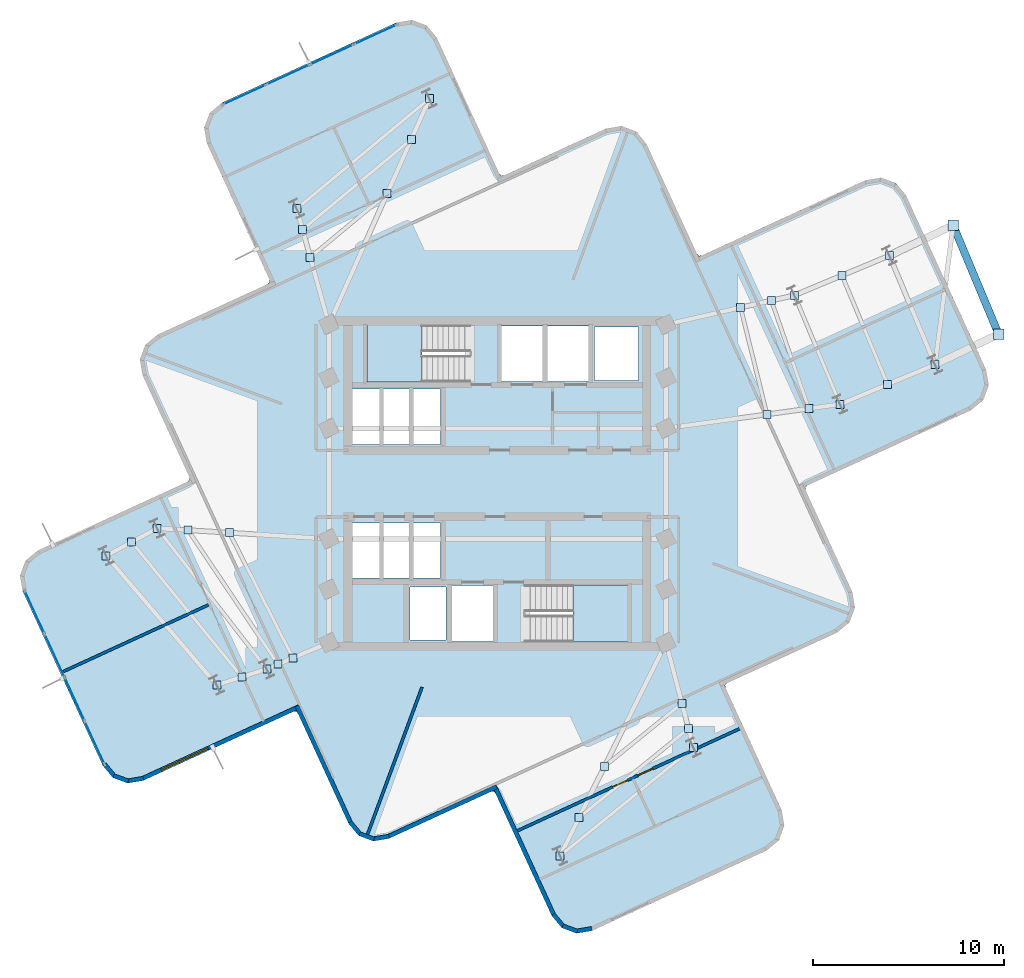
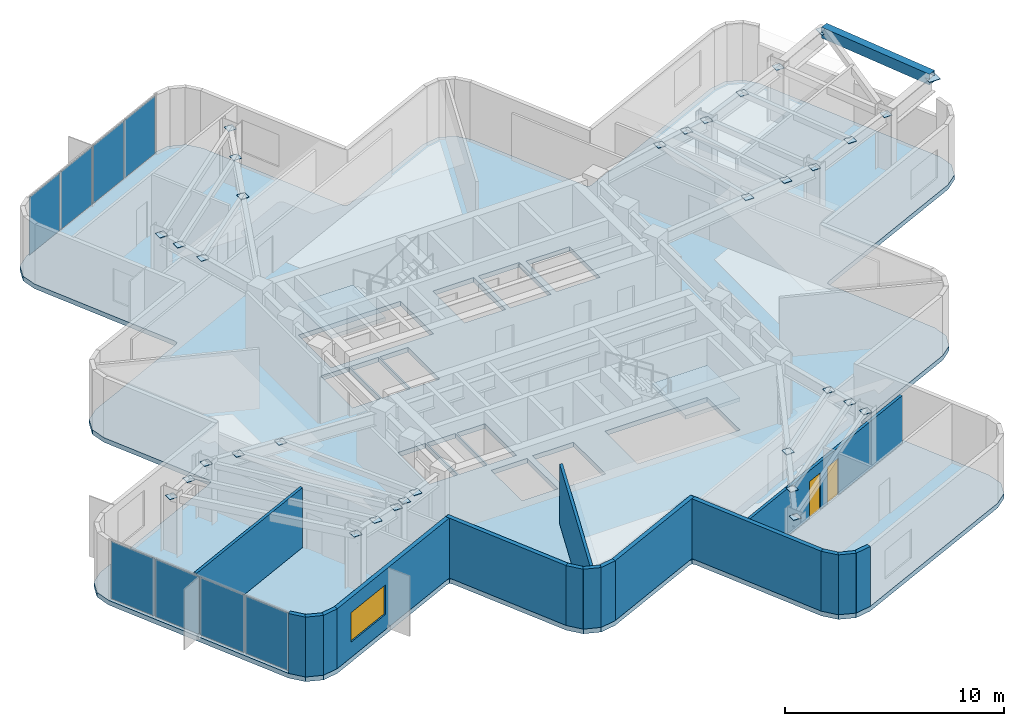
# One storey, part 5 of 11: 42 plates, 16 walls, 3 slabs, 2 doors, 1 beam, 1 window, 3 openings, 4 elements without a shape of their own.
"""IFC4 building model written with IfcOpenShell, lengths in metres."""

from ifc_helpers import new_model, si_unit, direction, frame, frame_2d, origin, origin_2d, place, context, subcontext, project, spatial, polyline, rectangle, hollow_rectangle, outline, extrude, material, layer, layer_set, material_profile, profile_set, type_object, element, fill, aggregate, save


model = new_model("IFC4")

# Units and contexts
model_context = context("Model", 3, precision=1e-05, world=origin(), true_north=direction((0.0, 1.0)))
body_context = subcontext(model_context, "Body", "Model", "MODEL_VIEW")
ifc_project = project(units=[si_unit("LENGTHUNIT", "METRE"), si_unit("AREAUNIT", "SQUARE_METRE"), si_unit("VOLUMEUNIT", "CUBIC_METRE"), si_unit("PLANEANGLEUNIT", "RADIAN"), si_unit("MASSUNIT", "GRAM", prefix="KILO")], contexts=[model_context])

# Site, building, storey
site_placement = place(None, origin())
site = spatial("IfcSite", under=ifc_project, at=site_placement, CompositionType="ELEMENT")
building_placement = place(site_placement, origin())
building = spatial("IfcBuilding", under=site, at=building_placement, Name="Solmarez Civic Tower", CompositionType="ELEMENT")
storey_placement = place(building_placement, frame((0.0, 0.0, 184.679931640625)))
storey = spatial("IfcBuildingStorey", under=building, at=storey_placement, Name="L49", CompositionType="ELEMENT", Elevation=184.679931640625)

# Beam
ifc_material_1 = material(Name="Steel S355", Category="steel")
ifc_material_profile = material_profile(ifc_material_1, hollow_rectangle(XDim=0.39990234375, YDim=0.60009765625, WallThickness=0.02490234375, at=origin_2d()), Name="HSS600X400X25")
ifc_profile_set = profile_set([ifc_material_profile], Name="Steel S355")
beam_type = type_object("IfcBeamType", Name="BM-SP-HSS600X400", PredefinedType="SPANDREL", material=ifc_profile_set)
beam_placement = place(storey_placement, frame((26.30908203125, 7.839111328125, 3.0400390625), z_axis=(-0.385876218946, 0.922550564279, 0.0), x_axis=(-0.922550564279, -0.385876218946, 0.0)))
element("IfcBeam", 1, at=beam_placement, inside=storey, type_object=beam_type, Name="L49 Perimeter Spandrel Beam BM-POOL-EDGE-L49", PredefinedType="SPANDREL", context=body_context, shape_type="SweptSolid", body=[
    extrude(hollow_rectangle(XDim=0.39990234375, YDim=0.60009765625, WallThickness=0.02490234375, at=origin_2d()), origin(), (0.0, 0.0, 1.0), 6.19921875),
])

# Curtain wall, plates
ifc_material_2 = material(Name="Bronze Anodised Aluminium EN AW-6063 T6", Category="aluminium")
ifc_layer_1 = layer(ifc_material_2, 0.2099609375)
ifc_layer_set_1 = layer_set([ifc_layer_1], Name="Bronze Anodised Aluminium EN AW-6063 T6")
curtain_wall_type = type_object("IfcCurtainWallType", Name="CW-SYS-5", PredefinedType="NOTDEFINED", material=ifc_layer_set_1)
curtain_wall_1_placement = place(storey_placement, origin())
curtain_wall_1 = element("IfcCurtainWall", 2, at=curtain_wall_1_placement, inside=storey, type_object=curtain_wall_type, Name="L49 Stick-Built Curtain Wall 1", PredefinedType="NOTDEFINED")
ifc_material_3 = material(Name="Solar Control Low-E Laminated Vision Glass", Category="glass")
ifc_layer_2 = layer(ifc_material_3, 0.028076171875)
ifc_layer_set_2 = layer_set([ifc_layer_2], Name="Solar Control Low-E Laminated Vision Glass")
plate_type_1 = type_object("IfcPlateType", Name="CWP-GLAZ-28", PredefinedType="CURTAIN_PANEL", material=ifc_layer_set_2)
plate_1_placement = place(storey_placement, frame((-21.14306640625, -13.599609375, 0.065185546875), z_axis=(0.0, 0.0, 1.0), x_axis=(-0.417469242296, 0.908691054064, 0.0)))
plate_1 = element("IfcPlate", 3, at=plate_1_placement, type_object=plate_type_1, Name="CWS5 panel 1.1", PredefinedType="CURTAIN_PANEL", context=body_context, shape_type="SweptSolid", body=[
    extrude(rectangle(XDim=2.412841796875, YDim=0.028076171875, at=origin_2d()), origin(), (0.0, 0.0, 1.0), 3.2099609375),
])
plate_2_placement = place(storey_placement, frame((-22.189453125, -11.32177734375, 0.065185546875), z_axis=(0.0, 0.0, 1.0), x_axis=(-0.417469242296, 0.908691054064, 0.0)))
plate_2 = element("IfcPlate", 4, at=plate_2_placement, type_object=plate_type_1, Name="CWS5 panel 2.1", PredefinedType="CURTAIN_PANEL", context=body_context, shape_type="SweptSolid", body=[
    extrude(rectangle(XDim=2.450439453125, YDim=0.028076171875, at=origin_2d()), origin(), (0.0, 0.0, 1.0), 3.2099609375),
])
plate_3_placement = place(storey_placement, frame((-23.24365234375, -9.027099609375, 0.065185546875), z_axis=(0.0, 0.0, 1.0), x_axis=(-0.417469242296, 0.908691054064, 0.0)))
plate_3 = element("IfcPlate", 5, at=plate_3_placement, type_object=plate_type_1, Name="CWS5 panel 3.1", PredefinedType="CURTAIN_PANEL", context=body_context, shape_type="SweptSolid", body=[
    extrude(rectangle(XDim=2.450439453125, YDim=0.028076171875, at=origin_2d()), origin(), (0.0, 0.0, 1.0), 3.2099609375),
])
plate_4_placement = place(storey_placement, frame((-24.2900390625, -6.74951171875, 0.065185546875), z_axis=(0.0, 0.0, 1.0), x_axis=(-0.417469242296, 0.908691054064, 0.0)))
plate_4 = element("IfcPlate", 6, at=plate_4_placement, type_object=plate_type_1, Name="CWS5 panel 4.1", PredefinedType="CURTAIN_PANEL", context=body_context, shape_type="SweptSolid", body=[
    extrude(rectangle(XDim=2.412841796875, YDim=0.028076171875, at=origin_2d()), origin(), (0.0, 0.0, 1.0), 3.2099609375),
])
aggregate(curtain_wall_1, [plate_1, plate_2, plate_3, plate_4])

curtain_wall_2_placement = place(storey_placement, origin())
curtain_wall_2 = element("IfcCurtainWall", 7, at=curtain_wall_2_placement, inside=storey, type_object=curtain_wall_type, Name="L49 Stick-Built Curtain Wall 2", PredefinedType="NOTDEFINED")
plate_5_placement = place(storey_placement, frame((-13.265625, 20.416015625, 0.065185546875), z_axis=(0.0, 0.0, 1.0), x_axis=(0.908691054064, 0.417469242296, 0.0)))
plate_5 = element("IfcPlate", 8, at=plate_5_placement, type_object=plate_type_1, Name="CWS5 panel 1.1", PredefinedType="CURTAIN_PANEL", context=body_context, shape_type="SweptSolid", body=[
    extrude(rectangle(XDim=2.412841796875, YDim=0.028076171875, at=origin_2d()), origin(), (0.0, 0.0, 1.0), 3.2099609375),
])
plate_6_placement = place(storey_placement, frame((-10.98779296875, 21.46240234375, 0.065185546875), z_axis=(0.0, 0.0, 1.0), x_axis=(0.908691054064, 0.417469242296, 0.0)))
plate_6 = element("IfcPlate", 9, at=plate_6_placement, type_object=plate_type_1, Name="CWS5 panel 2.1", PredefinedType="CURTAIN_PANEL", context=body_context, shape_type="SweptSolid", body=[
    extrude(rectangle(XDim=2.450439453125, YDim=0.028076171875, at=origin_2d()), origin(), (0.0, 0.0, 1.0), 3.2099609375),
])
plate_7_placement = place(storey_placement, frame((-8.693115234375, 22.5166015625, 0.065185546875), z_axis=(0.0, 0.0, 1.0), x_axis=(0.908691054064, 0.417469242296, 0.0)))
plate_7 = element("IfcPlate", 10, at=plate_7_placement, type_object=plate_type_1, Name="CWS5 panel 3.1", PredefinedType="CURTAIN_PANEL", context=body_context, shape_type="SweptSolid", body=[
    extrude(rectangle(XDim=2.450439453125, YDim=0.028076171875, at=origin_2d()), origin(), (0.0, 0.0, 1.0), 3.2099609375),
])
plate_8_placement = place(storey_placement, frame((-6.41552734375, 23.56298828125, 0.065185546875), z_axis=(0.0, 0.0, 1.0), x_axis=(0.908691054064, 0.417469242296, 0.0)))
plate_8 = element("IfcPlate", 11, at=plate_8_placement, type_object=plate_type_1, Name="CWS5 panel 4.1", PredefinedType="CURTAIN_PANEL", context=body_context, shape_type="SweptSolid", body=[
    extrude(rectangle(XDim=2.412841796875, YDim=0.028076171875, at=origin_2d()), origin(), (0.0, 0.0, 1.0), 3.2099609375),
])
aggregate(curtain_wall_2, [plate_5, plate_6, plate_7, plate_8])

# Plates
ifc_layer_3 = layer(ifc_material_1, 0.02392578125)
ifc_layer_set_3 = layer_set([ifc_layer_3], Name="Steel S355")
plate_type_2 = type_object("IfcPlateType", Name="PLT-CAP-380", PredefinedType="USERDEFINED", material=ifc_layer_set_3)
for number, where, z_axis, x_axis, name in (
    (12, (17.987060546875, 4.1640625, 3.17822265625), (0.0, 0.0, 1.0), (1.0, 0.0, 0.0), "Steel Member End Cap Plate CAP-BM-L49-EA-T1-0"),
    (13, (15.593994140625, 9.883056640625, 3.17822265625), (0.0, 0.0, 1.0), (1.0, 0.0, 0.0), "Steel Member End Cap Plate CAP-BM-L49-EA-T1-1"),
    (14, (22.968017578125, 6.248046875, 3.128173828125), (0.0, 0.0, 1.0), (1.0, 0.0, 0.0), "Steel Member End Cap Plate CAP-BM-L49-EA-T2-0"),
    (15, (20.575927734375, 11.967041015625, 3.128173828125), (0.0, 0.0, 1.0), (1.0, 0.0, 0.0), "Steel Member End Cap Plate CAP-BM-L49-EA-T2-1"),
    (16, (20.47705078125, 5.2060546875, 3.17822265625), (0.0, 0.0, 1.0), (1.0, 0.0, 0.0), "Steel Member End Cap Plate CAP-JS-L49-EA-M2-0"),
    (17, (18.0849609375, 10.925048828125, 3.17822265625), (0.0, 0.0, 1.0), (1.0, 0.0, 0.0), "Steel Member End Cap Plate CAP-JS-L49-EA-M2-1"),
    (18, (14.14892578125, 3.633056640625, 3.17822265625), (0.0, 0.0, 1.0), (1.0, 0.0, 0.0), "Steel Member End Cap Plate CAP-JS-L49-EA-M11-0"),
    (19, (12.761962890625, 9.239013671875, 3.17822265625), (0.0, 0.0, 1.0), (1.0, 0.0, 0.0), "Steel Member End Cap Plate CAP-JS-L49-EA-M11-1"),
    (20, (16.342041015625, 3.93603515625, 3.17822265625), (0.0, 0.0, 1.0), (1.0, 0.0, 0.0), "Steel Member End Cap Plate CAP-JS-L49-EA-M12-0"),
    (21, (14.3798828125, 9.60693359375, 3.17822265625), (0.0, 0.0, 1.0), (1.0, 0.0, 0.0), "Steel Member End Cap Plate CAP-JS-L49-EA-M12-1"),
    (22, (-3.570068359375, 20.20703125, 3.17822265625), (0.0, 0.0, 1.0), (1.0, 0.0, 0.0), "Steel Member End Cap Plate CAP-BM-L49-NA-T1-0"),
    (23, (-10.532958984375, 14.43310546875, 3.17822265625), (0.0, 0.0, 1.0), (1.0, 0.0, 0.0), "Steel Member End Cap Plate CAP-BM-L49-NA-T1-1"),
    (24, (-5.7880859375, 15.22705078125, 3.17822265625), (0.0, 0.0, 1.0), (1.0, 0.0, 0.0), "Steel Member End Cap Plate CAP-JS-L49-NA-M11-0"),
    (25, (-9.825927734375, 11.8779296875, 3.17822265625), (0.0, 0.0, 1.0), (1.0, 0.0, 0.0), "Steel Member End Cap Plate CAP-JS-L49-NA-M11-1"),
    (26, (-4.52001953125, 18.072998046875, 3.17822265625), (0.0, 0.0, 1.0), (1.0, 0.0, 0.0), "Steel Member End Cap Plate CAP-JS-L49-NA-M12-0"),
    (27, (-10.22998046875, 13.337890625, 3.17822265625), (0.0, 0.0, 1.0), (1.0, 0.0, 0.0), "Steel Member End Cap Plate CAP-JS-L49-NA-M12-1"),
    (28, (-17.85791015625, -2.345947265625, 3.17822265625), (0.0, 0.0, 1.0), (1.0, 0.0, 0.0), "Steel Member End Cap Plate CAP-BM-L49-WA-T1-0"),
    (29, (-12.10595703125, -9.73095703125, 3.17822265625), (0.0, 0.0, 1.0), (1.0, 0.0, 0.0), "Steel Member End Cap Plate CAP-BM-L49-WA-T1-1"),
    (30, (-20.534912109375, -3.7880859375, 3.128173828125), (0.0, 0.0, 1.0), (1.0, 0.0, 0.0), "Steel Member End Cap Plate CAP-BM-L49-WA-T2-0"),
    (31, (-14.73095703125, -10.572998046875, 3.128173828125), (0.0, 0.0, 1.0), (1.0, 0.0, 0.0), "Steel Member End Cap Plate CAP-BM-L49-WA-T2-1"),
    (32, (-19.197021484375, -3.06689453125, 3.17822265625), (0.0, 0.0, 1.0), (1.0, 0.0, 0.0), "Steel Member End Cap Plate CAP-JS-L49-WA-M2-0"),
    (33, (-13.41796875, -10.152099609375, 3.17822265625), (0.0, 0.0, 1.0), (1.0, 0.0, 0.0), "Steel Member End Cap Plate CAP-JS-L49-WA-M2-1"),
    (34, (-14.074951171875, -2.5791015625, 3.17822265625), (0.0, 0.0, 1.0), (1.0, 0.0, 0.0), "Steel Member End Cap Plate CAP-JS-L49-WA-M11-0"),
    (35, (-10.738037109375, -9.15087890625, 3.17822265625), (0.0, 0.0, 1.0), (1.0, 0.0, 0.0), "Steel Member End Cap Plate CAP-JS-L49-WA-M11-1"),
    (36, (-16.237060546875, -2.446044921875, 3.17822265625), (0.0, 0.0, 1.0), (1.0, 0.0, 0.0), "Steel Member End Cap Plate CAP-JS-L49-WA-M12-0"),
    (37, (-11.52001953125, -9.48193359375, 3.17822265625), (0.0, 0.0, 1.0), (1.0, 0.0, 0.0), "Steel Member End Cap Plate CAP-JS-L49-WA-M12-1"),
    (38, (3.2900390625, -19.535888671875, 3.17822265625), (0.0, 0.0, 1.0), (1.0, 0.0, 0.0), "Steel Member End Cap Plate CAP-BM-L49-SA-T1-0"),
    (39, (10.2900390625, -13.85009765625, 3.17822265625), (0.0, 0.0, 1.0), (1.0, 0.0, 0.0), "Steel Member End Cap Plate CAP-BM-L49-SA-T1-1"),
    (40, (5.625, -14.837890625, 3.17822265625), (0.0, 0.0, 1.0), (1.0, 0.0, 0.0), "Steel Member End Cap Plate CAP-JS-L49-SA-M11-0"),
    (41, (9.68505859375, -11.5400390625, 3.17822265625), (0.0, 0.0, 1.0), (1.0, 0.0, 0.0), "Steel Member End Cap Plate CAP-JS-L49-SA-M11-1"),
    (42, (4.291015625, -17.52294921875, 3.17822265625), (0.0, 0.0, 1.0), (1.0, 0.0, 0.0), "Steel Member End Cap Plate CAP-JS-L49-SA-M12-0"),
    (43, (10.031005859375, -12.860107421875, 3.17822265625), (0.0, 0.0, 1.0), (1.0, 0.0, 0.0), "Steel Member End Cap Plate CAP-JS-L49-SA-M12-1"),
):
    element("IfcPlate", number, at=place(storey_placement, frame(where, z_axis=z_axis, x_axis=x_axis)), inside=storey, type_object=plate_type_2, Name=name, ObjectType="CAP_PLATE", PredefinedType="USERDEFINED", context=body_context, shape_type="SweptSolid", body=[
        extrude(rectangle(XDim=0.419921875, YDim=0.419921875, at=origin_2d()), origin(), (0.0, 0.0, 1.0), 0.02392578125),
    ])
ifc_layer_4 = layer(ifc_material_1, 0.028076171875)
ifc_layer_set_4 = layer_set([ifc_layer_4], Name="Steel S355")
plate_type_3 = type_object("IfcPlateType", Name="PLT-CAP-540", PredefinedType="USERDEFINED", material=ifc_layer_set_4)
for number, where, z_axis, x_axis, name in (
    (44, (26.30908203125, 7.839111328125, 3.02587890625), (0.0, 0.0, 1.0), (1.0, 0.0, 0.0), "Steel Member End Cap Plate CAP-BM-POOL-EDGE-L49-0"),
    (45, (23.9169921875, 13.55810546875, 3.02587890625), (0.0, 0.0, 1.0), (1.0, 0.0, 0.0), "Steel Member End Cap Plate CAP-BM-POOL-EDGE-L49-1"),
):
    element("IfcPlate", number, at=place(storey_placement, frame(where, z_axis=z_axis, x_axis=x_axis)), inside=storey, type_object=plate_type_3, Name=name, ObjectType="CAP_PLATE", PredefinedType="USERDEFINED", context=body_context, shape_type="SweptSolid", body=[
        extrude(rectangle(XDim=0.56005859375, YDim=0.56005859375, at=origin_2d()), origin(), (0.0, 0.0, 1.0), 0.028076171875),
    ])

# Stair, slab
ifc_material_4 = material(Name="Concrete C50/60", Category="concrete")
stair_type = type_object("IfcStairType", Name="STAIR-DOGLEG-140W-20R-1800", PredefinedType="HALF_TURN_STAIR", material=ifc_material_4)
stair_1_placement = place(storey_placement, origin())
stair_1 = element("IfcStair", 46, at=stair_1_placement, inside=storey, type_object=stair_type, Name="L49 North Core Protected Exit Stair ST-1", PredefinedType="HALF_TURN_STAIR")
ifc_layer_5 = layer(ifc_material_4, 0.199951171875)
ifc_layer_set_5 = layer_set([ifc_layer_5], Name="Concrete C50/60")
slab_type_1 = type_object("IfcSlabType", Name="SLAB-LANDING-200", PredefinedType="LANDING", material=ifc_layer_set_5)
slab_1_placement = place(storey_placement, frame((0.0, 0.0, 1.60009765625)))
slab_1 = element("IfcSlab", 47, at=slab_1_placement, type_object=slab_type_1, Name="ST-1 landing 1", PredefinedType="LANDING", context=body_context, shape_type="SweptSolid", body=[
    extrude(outline(polyline([(-3.969970703125, 8.320068359375), (-6.85009765625, 8.320068359375), (-6.85009765625, 5.320068359375), (-3.969970703125, 5.320068359375), (-3.969970703125, 8.320068359375)])), origin(), (0.0, 0.0, 1.0), 0.199951171875),
])
aggregate(stair_1, [slab_1])

stair_2_placement = place(storey_placement, origin())
stair_2 = element("IfcStair", 48, at=stair_2_placement, inside=storey, type_object=stair_type, Name="L49 South Core Protected Exit Stair ST-2", PredefinedType="HALF_TURN_STAIR")
slab_2_placement = place(storey_placement, frame((0.0, 0.0, 1.60009765625)))
slab_2 = element("IfcSlab", 49, at=slab_2_placement, type_object=slab_type_1, Name="ST-2 landing 1", PredefinedType="LANDING", context=body_context, shape_type="SweptSolid", body=[
    extrude(outline(polyline([(3.969970703125, -8.320068359375), (6.85009765625, -8.320068359375), (6.85009765625, -5.320068359375), (3.969970703125, -5.320068359375), (3.969970703125, -8.320068359375)])), origin(), (0.0, 0.0, 1.0), 0.199951171875),
])
aggregate(stair_2, [slab_2])

# Slab
ifc_layer_6 = layer(ifc_material_4, 0.260009765625)
ifc_layer_set_6 = layer_set([ifc_layer_6], Name="Concrete C50/60")
slab_type_2 = type_object("IfcSlabType", Name="SLAB-TOWER-260", PredefinedType="FLOOR", material=ifc_layer_set_6)
slab_3_placement = place(storey_placement, frame((0.0, 0.0, -0.260009765625)))
element("IfcSlab", 50, at=slab_3_placement, inside=storey, type_object=slab_type_2, Name="L49 Structural Slab", PredefinedType="FLOOR", context=body_context, shape_type="SweptSolid", body=[
    extrude(outline(polyline([(-10.4609375, -12.08203125), (-7.81396484375, -17.842041015625), (-7.284912109375, -18.47998046875), (-6.508056640625, -18.76708984375), (-5.69189453125, -18.6279296875), (-0.367919921875, -16.181884765625), (-0.197998046875, -16.153076171875), (-0.087890625, -16.284912109375), (2.85107421875, -22.680908203125), (3.3798828125, -23.319091796875), (4.156982421875, -23.60595703125), (4.972900390625, -23.467041015625), (14.132080078125, -19.258056640625), (14.77001953125, -18.72900390625), (15.056884765625, -17.952880859375), (14.91796875, -17.135986328125), (11.97900390625, -10.739990234375), (11.949951171875, -10.570068359375), (12.08203125, -10.4609375), (17.842041015625, -7.81396484375), (18.47998046875, -7.284912109375), (18.76708984375, -6.508056640625), (18.6279296875, -5.69189453125), (16.181884765625, -0.367919921875), (16.153076171875, -0.197998046875), (16.284912109375, -0.087890625), (24.862060546875, 3.85302734375), (25.5, 4.382080078125), (25.787109375, 5.158935546875), (25.64794921875, 5.97509765625), (21.43896484375, 15.134033203125), (20.909912109375, 15.77197265625), (20.134033203125, 16.05908203125), (19.31689453125, 15.919921875), (10.739990234375, 11.97900390625), (10.570068359375, 11.949951171875), (10.4609375, 12.08203125), (7.81396484375, 17.842041015625), (7.284912109375, 18.47998046875), (6.508056640625, 18.76708984375), (5.69189453125, 18.6279296875), (0.367919921875, 16.181884765625), (0.197998046875, 16.153076171875), (0.087890625, 16.284912109375), (-3.18505859375, 23.407958984375), (-3.714111328125, 24.0458984375), (-4.490966796875, 24.3330078125), (-5.306884765625, 24.194091796875), (-14.466064453125, 19.985107421875), (-15.10400390625, 19.4560546875), (-15.39111328125, 18.679931640625), (-15.251953125, 17.863037109375), (-11.97900390625, 10.739990234375), (-11.949951171875, 10.570068359375), (-12.08203125, 10.4609375), (-17.842041015625, 7.81396484375), (-18.47998046875, 7.284912109375), (-18.76708984375, 6.508056640625), (-18.6279296875, 5.69189453125), (-16.181884765625, 0.367919921875), (-16.153076171875, 0.197998046875), (-16.284912109375, 0.087890625), (-24.135009765625, -3.51904296875), (-24.77294921875, -4.048095703125), (-25.06005859375, -4.824951171875), (-24.9208984375, -5.64111328125), (-20.7119140625, -14.800048828125), (-20.18310546875, -15.43798828125), (-19.406982421875, -15.72509765625), (-18.590087890625, -15.5859375), (-10.739990234375, -11.97900390625), (-10.570068359375, -11.949951171875), (-10.4609375, -12.08203125)]), holes=[polyline([(-1.449951171875, 8.320068359375), (-6.85009765625, 8.320068359375), (-6.85009765625, 5.320068359375), (-1.449951171875, 5.320068359375), (-1.449951171875, 8.320068359375)]), polyline([(1.449951171875, -8.320068359375), (6.85009765625, -8.320068359375), (6.85009765625, -5.320068359375), (1.449951171875, -5.320068359375), (1.449951171875, -8.320068359375)]), polyline([(0.219970703125, 5.360107421875), (2.3798828125, 5.360107421875), (2.3798828125, 8.280029296875), (0.219970703125, 8.280029296875), (0.219970703125, 5.360107421875)]), polyline([(2.6201171875, 5.360107421875), (4.780029296875, 5.360107421875), (4.780029296875, 8.280029296875), (2.6201171875, 8.280029296875), (2.6201171875, 5.360107421875)]), polyline([(-2.3798828125, -8.280029296875), (-0.219970703125, -8.280029296875), (-0.219970703125, -5.360107421875), (-2.3798828125, -5.360107421875), (-2.3798828125, -8.280029296875)]), polyline([(-7.60009765625, -4.9599609375), (-6.1201171875, -4.9599609375), (-6.1201171875, -2.06005859375), (-7.60009765625, -2.06005859375), (-7.60009765625, -4.9599609375)]), polyline([(-6.0400390625, -4.9599609375), (-4.56005859375, -4.9599609375), (-4.56005859375, -2.06005859375), (-6.0400390625, -2.06005859375), (-6.0400390625, -4.9599609375)]), polyline([(-4.47998046875, -4.9599609375), (-3.0, -4.9599609375), (-3.0, -2.06005859375), (-4.47998046875, -2.06005859375), (-4.47998046875, -4.9599609375)]), polyline([(-7.60009765625, 2.06005859375), (-6.1201171875, 2.06005859375), (-6.1201171875, 4.9599609375), (-7.60009765625, 4.9599609375), (-7.60009765625, 2.06005859375)]), polyline([(-6.0400390625, 2.06005859375), (-4.56005859375, 2.06005859375), (-4.56005859375, 4.9599609375), (-6.0400390625, 4.9599609375), (-6.0400390625, 2.06005859375)]), polyline([(-4.47998046875, 2.06005859375), (-3.0, 2.06005859375), (-3.0, 4.9599609375), (-4.47998046875, 4.9599609375), (-4.47998046875, 2.06005859375)]), polyline([(5.10009765625, 5.419921875), (7.39990234375, 5.419921875), (7.39990234375, 8.219970703125), (5.10009765625, 8.219970703125), (5.10009765625, 5.419921875)]), polyline([(-4.60009765625, -8.219970703125), (-2.699951171875, -8.219970703125), (-2.699951171875, -5.419921875), (-4.60009765625, -5.419921875), (-4.60009765625, -8.219970703125)])]), origin(), (0.0, 0.0, 1.0), 0.260009765625),
])

# Wall, opening, window
ifc_material_5 = material(Name="Precast concrete C40/50", Category="concrete")
ifc_layer_7 = layer(ifc_material_5, 0.219970703125)
ifc_layer_set_7 = layer_set([ifc_layer_7], Name="Precast concrete C40/50")
wall_type_1 = type_object("IfcWallType", Name="WALL-EXT-220", PredefinedType="SOLIDWALL", material=ifc_layer_set_7)
wall_1_placement = place(storey_placement, frame((-10.4150390625, -11.7080078125, 0.0), z_axis=(0.0, 0.0, 1.0), x_axis=(-0.908668829641, -0.417517614047, 0.0)))
wall_1 = element("IfcWall", 51, at=wall_1_placement, inside=storey, type_object=wall_type_1, Name="L49 Exterior Precast Wall 2", PredefinedType="SOLIDWALL", context=body_context, shape_type="SweptSolid", body=[
    extrude(rectangle(XDim=9.058349609375, YDim=0.219970703125, at=frame_2d((4.529296875, 0.0))), origin(), (0.0, 0.0, 1.0), 3.340087890625),
])
opening_1_placement = place(wall_1_placement, frame((5.258056640625, 0.0, 0.85009765625)))
opening_1 = element("IfcOpeningElement", 52, at=opening_1_placement, cuts=wall_1, Name="Opening W-09", PredefinedType="OPENING", context=body_context, shape_type="SweptSolid", body=[
    extrude(rectangle(XDim=2.699951171875, YDim=1.64990234375, at=frame_2d((1.35009765625, 0.824951171875))), frame((0.0, 0.119873046875, 0.0), z_axis=(0.0, -1.0, 0.0), x_axis=(1.0, 0.0, 0.0)), (0.0, 0.0, 1.0), 0.239990234375),
])
ifc_material_6 = material(Name="Solar Control Bronze-Tinted Insulating Glass", Category="glass")
window_type = type_object("IfcWindowType", Name="WIN-2700X1650", PartitioningType="SINGLE_PANEL", PredefinedType="WINDOW", material=ifc_material_6)
window_placement = place(opening_1_placement, origin())
window = element("IfcWindow", 53, at=window_placement, inside=storey, type_object=window_type, Name="L49 Exterior Facade Window 2", OverallHeight=1.64990234375, OverallWidth=2.699951171875, PartitioningType="SINGLE_PANEL", PredefinedType="WINDOW", context=body_context, shape_type="SweptSolid", body=[
    extrude(rectangle(XDim=2.699951171875, YDim=1.64990234375, at=frame_2d((1.35009765625, 0.824951171875))), frame((0.0, 0.030029296875, 0.0), z_axis=(0.0, -1.0, 0.0), x_axis=(1.0, 0.0, 0.0)), (0.0, 0.0, 1.0), 0.06005859375),
])
fill(opening_1, window)

# Walls
wall_2_placement = place(storey_placement, frame((-18.597900390625, -15.47607421875, 0.0), z_axis=(0.0, 0.0, 1.0), x_axis=(-0.985859228908, -0.167575597201, 0.0)))
element("IfcWall", 54, at=wall_2_placement, inside=storey, type_object=wall_type_1, Name="L49 Exterior Precast Wall 3", PredefinedType="SOLIDWALL", context=body_context, shape_type="SweptSolid", body=[
    extrude(rectangle(XDim=0.834716796875, YDim=0.219970703125, at=frame_2d((0.41748046875, 0.0))), origin(), (0.0, 0.0, 1.0), 3.340087890625),
])
wall_3_placement = place(storey_placement, frame((-19.373046875, -15.62109375, 0.0), z_axis=(0.0, 0.0, 1.0), x_axis=(-0.937294412261, 0.348538641681, 0.0)))
element("IfcWall", 55, at=wall_3_placement, inside=storey, type_object=wall_type_1, Name="L49 Exterior Precast Wall 4", PredefinedType="SOLIDWALL", context=body_context, shape_type="SweptSolid", body=[
    extrude(rectangle(XDim=0.818115234375, YDim=0.219970703125, at=frame_2d((0.4091796875, 0.0))), origin(), (0.0, 0.0, 1.0), 3.340087890625),
])
wall_4_placement = place(storey_placement, frame((-20.10107421875, -15.364013671875, 0.0), z_axis=(0.0, 0.0, 1.0), x_axis=(-0.638686746413, 0.769466854359, 0.0)))
element("IfcWall", 56, at=wall_4_placement, inside=storey, type_object=wall_type_1, Name="L49 Exterior Precast Wall 5", PredefinedType="SOLIDWALL", context=body_context, shape_type="SweptSolid", body=[
    extrude(rectangle(XDim=0.83447265625, YDim=0.219970703125, at=frame_2d((0.417236328125, 0.0))), origin(), (0.0, 0.0, 1.0), 3.340087890625),
])
wall_5_placement = place(storey_placement, frame((4.965087890625, -23.35693359375, 0.0), z_axis=(0.0, 0.0, 1.0), x_axis=(-0.985810875322, -0.167859816801, 0.0)))
element("IfcWall", 57, at=wall_5_placement, inside=storey, type_object=wall_type_1, Name="L49 Exterior Precast Wall 61", PredefinedType="SOLIDWALL", context=body_context, shape_type="SweptSolid", body=[
    extrude(rectangle(XDim=0.8349609375, YDim=0.219970703125, at=frame_2d((0.41748046875, 0.0))), origin(), (0.0, 0.0, 1.0), 3.340087890625),
])
wall_6_placement = place(storey_placement, frame((4.18994140625, -23.501953125, 0.0), z_axis=(0.0, 0.0, 1.0), x_axis=(-0.937391870112, 0.348276444578, 0.0)))
element("IfcWall", 58, at=wall_6_placement, inside=storey, type_object=wall_type_1, Name="L49 Exterior Precast Wall 62", PredefinedType="SOLIDWALL", context=body_context, shape_type="SweptSolid", body=[
    extrude(rectangle(XDim=0.818115234375, YDim=0.219970703125, at=frame_2d((0.4091796875, 0.0))), origin(), (0.0, 0.0, 1.0), 3.340087890625),
])
wall_7_placement = place(storey_placement, frame((3.4619140625, -23.2451171875, 0.0), z_axis=(0.0, 0.0, 1.0), x_axis=(-0.638686746413, 0.769466854359, 0.0)))
element("IfcWall", 59, at=wall_7_placement, inside=storey, type_object=wall_type_1, Name="L49 Exterior Precast Wall 63", PredefinedType="SOLIDWALL", context=body_context, shape_type="SweptSolid", body=[
    extrude(rectangle(XDim=0.83447265625, YDim=0.219970703125, at=frame_2d((0.417236328125, 0.0))), origin(), (0.0, 0.0, 1.0), 3.340087890625),
])
wall_8_placement = place(storey_placement, frame((2.955078125, -22.64501953125, 0.0), z_axis=(0.0, 0.0, 1.0), x_axis=(-0.417523547277, 0.9086661034, 0.0)))
element("IfcWall", 60, at=wall_8_placement, inside=storey, type_object=wall_type_1, Name="L49 Exterior Precast Wall 64", PredefinedType="SOLIDWALL", context=body_context, shape_type="SweptSolid", body=[
    extrude(rectangle(XDim=7.458251953125, YDim=0.219970703125, at=frame_2d((3.72900390625, 0.0))), origin(), (0.0, 0.0, 1.0), 3.340087890625),
])
wall_9_placement = place(storey_placement, frame((-0.0419921875, -15.910888671875, 0.0), z_axis=(0.0, 0.0, 1.0), x_axis=(-0.908686412759, -0.417479344719, 0.0)))
element("IfcWall", 61, at=wall_9_placement, inside=storey, type_object=wall_type_1, Name="L49 Exterior Precast Wall 67", PredefinedType="SOLIDWALL", context=body_context, shape_type="SweptSolid", body=[
    extrude(rectangle(XDim=6.2783203125, YDim=0.219970703125, at=frame_2d((3.13916015625, 0.0))), origin(), (0.0, 0.0, 1.0), 3.340087890625),
])
wall_10_placement = place(storey_placement, frame((-5.698974609375, -18.51806640625, 0.0), z_axis=(0.0, 0.0, 1.0), x_axis=(-0.985892022342, -0.167382556682, 0.0)))
element("IfcWall", 62, at=wall_10_placement, inside=storey, type_object=wall_type_1, Name="L49 Exterior Precast Wall 68", PredefinedType="SOLIDWALL", context=body_context, shape_type="SweptSolid", body=[
    extrude(rectangle(XDim=0.835693359375, YDim=0.219970703125, at=frame_2d((0.41796875, 0.0))), origin(), (0.0, 0.0, 1.0), 3.340087890625),
])
wall_11_placement = place(storey_placement, frame((-6.47509765625, -18.6630859375, 0.0), z_axis=(0.0, 0.0, 1.0), x_axis=(-0.937294412261, 0.348538641681, 0.0)))
element("IfcWall", 63, at=wall_11_placement, inside=storey, type_object=wall_type_1, Name="L49 Exterior Precast Wall 69", PredefinedType="SOLIDWALL", context=body_context, shape_type="SweptSolid", body=[
    extrude(rectangle(XDim=0.818115234375, YDim=0.219970703125, at=frame_2d((0.4091796875, 0.0))), origin(), (0.0, 0.0, 1.0), 3.340087890625),
])
wall_12_placement = place(storey_placement, frame((-7.202880859375, -18.406005859375, 0.0), z_axis=(0.0, 0.0, 1.0), x_axis=(-0.638859924235, 0.769323077261, 0.0)))
element("IfcWall", 64, at=wall_12_placement, inside=storey, type_object=wall_type_1, Name="L49 Exterior Precast Wall 70", PredefinedType="SOLIDWALL", context=body_context, shape_type="SweptSolid", body=[
    extrude(rectangle(XDim=0.834716796875, YDim=0.219970703125, at=frame_2d((0.41748046875, 0.0))), origin(), (0.0, 0.0, 1.0), 3.340087890625),
])
wall_13_placement = place(storey_placement, frame((-7.7099609375, -17.805908203125, 0.0), z_axis=(0.0, 0.0, 1.0), x_axis=(-0.417566275734, 0.908646468859, 0.0)))
element("IfcWall", 65, at=wall_13_placement, inside=storey, type_object=wall_type_1, Name="L49 Exterior Precast Wall 71", PredefinedType="SOLIDWALL", context=body_context, shape_type="SweptSolid", body=[
    extrude(rectangle(XDim=6.75830078125, YDim=0.219970703125, at=frame_2d((3.379150390625, 0.0))), origin(), (0.0, 0.0, 1.0), 3.340087890625),
])
ifc_material_7 = material(Name="Gypsum Board Acoustic Steel-Stud Partition", Category="steel")
ifc_layer_8 = layer(ifc_material_7, 0.14501953125)
ifc_layer_set_8 = layer_set([ifc_layer_8], Name="Gypsum Board Acoustic Steel-Stud Partition")
wall_type_2 = type_object("IfcWallType", Name="WALL-INT-PART-150", PredefinedType="PARTITIONING", material=ifc_layer_set_8)
wall_14_placement = place(storey_placement, frame((-3.958984375, -10.69091796875, 0.0), z_axis=(0.0, 0.0, 1.0), x_axis=(-0.347243238044, -0.937775097576, 0.0)))
element("IfcWall", 66, at=wall_14_placement, inside=storey, type_object=wall_type_2, Name="L49 Interior Partition PT-L49-QDIV-3", PredefinedType="PARTITIONING", context=body_context, shape_type="SweptSolid", body=[
    extrude(rectangle(XDim=8.27392578125, YDim=0.14501953125, at=frame_2d((4.136962890625, 0.0))), origin(), (0.0, 0.0, 1.0), 3.340087890625),
])
wall_15_placement = place(storey_placement, frame((-15.158935546875, -6.361083984375, 0.0), z_axis=(0.0, 0.0, 1.0), x_axis=(-0.90866370778, -0.417528760881, 0.0)))
element("IfcWall", 67, at=wall_15_placement, inside=storey, type_object=wall_type_2, Name="L49 Interior Partition PT-L49-W-TSP", PredefinedType="PARTITIONING", context=body_context, shape_type="SweptSolid", body=[
    extrude(rectangle(XDim=8.385009765625, YDim=0.14501953125, at=frame_2d((4.1923828125, 0.0))), origin(), (0.0, 0.0, 1.0), 3.340087890625),
])

# Wall, openings, doors
wall_16_placement = place(storey_placement, frame((1.014892578125, -18.241943359375, 0.0), z_axis=(0.0, 0.0, 1.0), x_axis=(0.908680334094, 0.417492575301, 0.0)))
wall_16 = element("IfcWall", 68, at=wall_16_placement, inside=storey, type_object=wall_type_2, Name="L49 Interior Partition PT-L49-S-S1", PredefinedType="PARTITIONING", context=body_context, shape_type="SweptSolid", body=[
    extrude(rectangle(XDim=12.91015625, YDim=0.14501953125, at=frame_2d((6.455078125, 0.0))), origin(), (0.0, 0.0, 1.0), 2.64404296875),
])
opening_2_placement = place(wall_16_placement, frame((5.544921875, 0.0, 0.0)))
opening_2 = element("IfcOpeningElement", 69, at=opening_2_placement, cuts=wall_16, Name="Opening D-14", PredefinedType="OPENING", context=body_context, shape_type="SweptSolid", body=[
    extrude(rectangle(XDim=0.860107421875, YDim=2.0400390625, at=frame_2d((0.43017578125, 1.02001953125))), frame((0.0, 0.08251953125, 0.0), z_axis=(0.0, -1.0, 0.0), x_axis=(1.0, 0.0, 0.0)), (0.0, 0.0, 1.0), 0.1650390625),
])
opening_3_placement = place(wall_16_placement, frame((6.986083984375, 0.0, 0.0)))
opening_3 = element("IfcOpeningElement", 70, at=opening_3_placement, cuts=wall_16, Name="Opening D-14", PredefinedType="OPENING", context=body_context, shape_type="SweptSolid", body=[
    extrude(rectangle(XDim=0.860107421875, YDim=2.0400390625, at=frame_2d((0.43017578125, 1.02001953125))), frame((0.0, 0.08251953125, 0.0), z_axis=(0.0, -1.0, 0.0), x_axis=(1.0, 0.0, 0.0)), (0.0, 0.0, 1.0), 0.1650390625),
])
ifc_material_8 = material(Name="Timber Storage and Pantry Door", Category="wood")
door_type = type_object("IfcDoorType", Name="DOOR-INT-850", OperationType="NOTDEFINED", PredefinedType="DOOR", material=ifc_material_8)
door_1_placement = place(opening_2_placement, origin())
door_1 = element("IfcDoor", 71, at=door_1_placement, inside=storey, type_object=door_type, Name="L49 Civic Lecture Classroom Third South Door", OperationType="SINGLE_SWING_RIGHT", OverallHeight=2.0400390625, OverallWidth=0.860107421875, PredefinedType="DOOR", context=body_context, shape_type="SweptSolid", body=[
    extrude(rectangle(XDim=0.860107421875, YDim=2.0400390625, at=frame_2d((0.43017578125, 1.02001953125))), frame((0.0, 0.02490234375, 0.0), z_axis=(0.0, -1.0, 0.0), x_axis=(1.0, 0.0, 0.0)), (0.0, 0.0, 1.0), 0.050048828125),
])
fill(opening_2, door_1)
door_2_placement = place(opening_3_placement, origin())
door_2 = element("IfcDoor", 72, at=door_2_placement, inside=storey, type_object=door_type, Name="L49 Public Exhibition Library Second South Door", OperationType="SINGLE_SWING_LEFT", OverallHeight=2.0400390625, OverallWidth=0.860107421875, PredefinedType="DOOR", context=body_context, shape_type="SweptSolid", body=[
    extrude(rectangle(XDim=0.860107421875, YDim=2.0400390625, at=frame_2d((0.43017578125, 1.02001953125))), frame((0.0, 0.02490234375, 0.0), z_axis=(0.0, -1.0, 0.0), x_axis=(1.0, 0.0, 0.0)), (0.0, 0.0, 1.0), 0.050048828125),
])
fill(opening_3, door_2)

save(model, "model.ifc")
